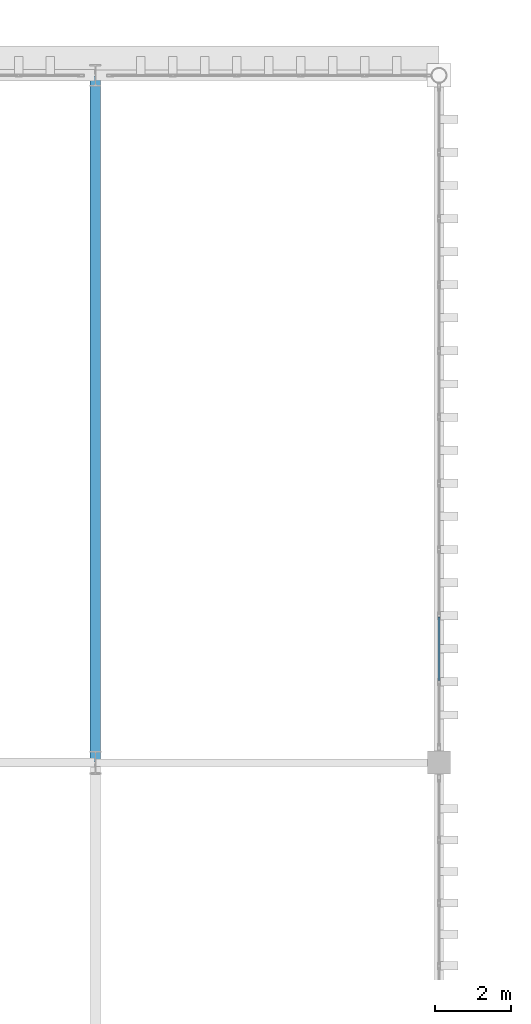
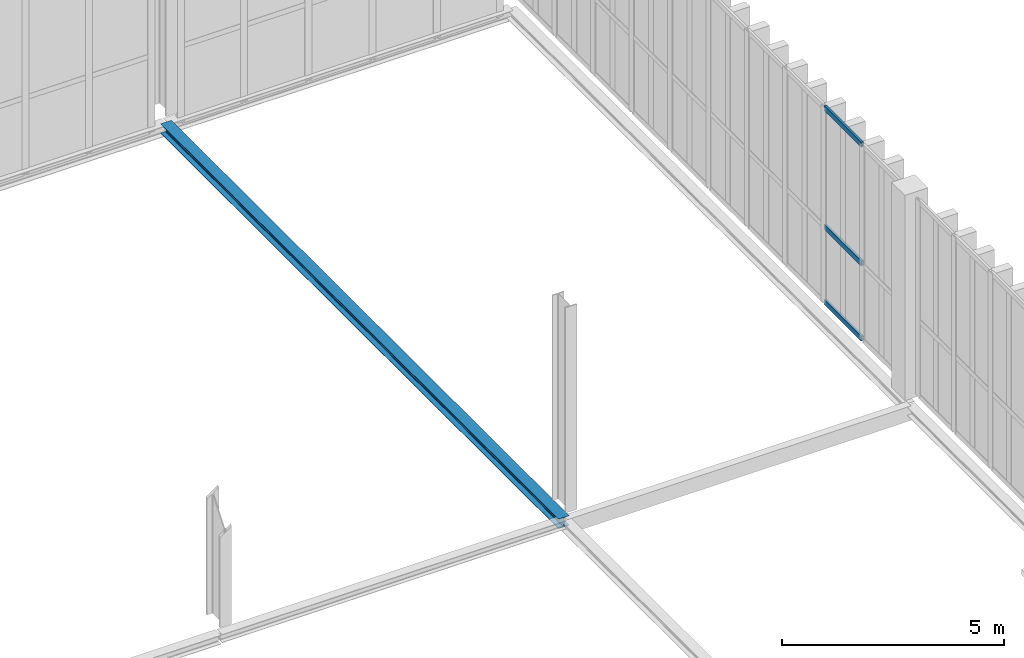
# One storey, part 108 of 237: 3 members, 1 beam, 1 element without a shape of its own.
"""IFC4 building model written with IfcOpenShell, lengths in metres."""

from ifc_helpers import new_model, si_unit, direction, frame, origin, origin_2d, place, context, subcontext, project, spatial, hollow_rectangle, i_section, extrude, material, layer, layer_set, material_profile, profile_set, type_object, element, aggregate, save


model = new_model("IFC4")

# Units and contexts
model_context = context("Model", 3, precision=1e-05, world=origin(), true_north=direction((0.0, 1.0)))
body_context = subcontext(model_context, "Body", "Model", "MODEL_VIEW")
ifc_project = project(units=[si_unit("LENGTHUNIT", "METRE"), si_unit("AREAUNIT", "SQUARE_METRE"), si_unit("VOLUMEUNIT", "CUBIC_METRE"), si_unit("PLANEANGLEUNIT", "RADIAN"), si_unit("MASSUNIT", "GRAM", prefix="KILO")], contexts=[model_context])

# Site, building, storey
site_placement = place(None, origin())
site = spatial("IfcSite", under=ifc_project, at=site_placement, CompositionType="ELEMENT")
building_placement = place(site_placement, origin())
building = spatial("IfcBuilding", under=site, at=building_placement, Name="Barlavento Convention Centre", CompositionType="ELEMENT")
storey_placement = place(building_placement, frame((0.0, 0.0, 12.0)))
storey = spatial("IfcBuildingStorey", under=building, at=storey_placement, Name="L02", CompositionType="ELEMENT", Elevation=12.0)

# Curtain wall, members
ifc_material_1 = material(Name="Powder-coated aluminium and Low-E glass", Category="aluminium")
ifc_layer = layer(ifc_material_1, 0.18505859375)
ifc_layer_set = layer_set([ifc_layer], Name="ARC-CW-EXH-L02")
curtain_wall_type = type_object("IfcCurtainWallType", Name="ARC-CW-EXH-L02", PredefinedType="NOTDEFINED", material=ifc_layer_set)
curtain_wall_placement = place(storey_placement, origin())
curtain_wall = element("IfcCurtainWall", 1, at=curtain_wall_placement, inside=storey, type_object=curtain_wall_type, Name="L02 unitised curtain wall CW05", PredefinedType="NOTDEFINED")
ifc_material_2 = material(Name="Powder-coated aluminium", Category="aluminium")
ifc_material_profile_1 = material_profile(ifc_material_2, hollow_rectangle(XDim=0.06005859375, YDim=0.139892578125, WallThickness=0.00390625, at=origin_2d()), Name="AL-TRAN 60x140x4")
ifc_profile_set_1 = profile_set([ifc_material_profile_1], Name="Powder-coated aluminium")
member_type = type_object("IfcMemberType", Name="ARC-CWT-60X140", PredefinedType="USERDEFINED", material=ifc_profile_set_1)
member_1_placement = place(storey_placement, frame((126.0, 119.146240234375, 0.1298828125), z_axis=(0.0, 1.0, 0.0), x_axis=(-1.0, 0.0, 0.0)))
member_1 = element("IfcMember", 2, at=member_1_placement, type_object=member_type, Name="CW05 transom 2.1", ObjectType="TRANSOM", PredefinedType="USERDEFINED", context=body_context, shape_type="SweptSolid", body=[
    extrude(hollow_rectangle(XDim=0.06005859375, YDim=0.139892578125, WallThickness=0.00390625, at=origin_2d()), origin(), (0.0, 0.0, 1.0), 1.668701171875),
])
member_2_placement = place(storey_placement, frame((126.0, 119.146240234375, 2.199951171875), z_axis=(0.0, 1.0, 0.0), x_axis=(-1.0, 0.0, 0.0)))
member_2 = element("IfcMember", 3, at=member_2_placement, type_object=member_type, Name="CW05 transom 2.2", ObjectType="TRANSOM", PredefinedType="USERDEFINED", context=body_context, shape_type="SweptSolid", body=[
    extrude(hollow_rectangle(XDim=0.06005859375, YDim=0.139892578125, WallThickness=0.00390625, at=origin_2d()), origin(), (0.0, 0.0, 1.0), 1.668701171875),
])
member_3_placement = place(storey_placement, frame((126.0, 119.146240234375, 5.469970703125), z_axis=(0.0, 1.0, 0.0), x_axis=(-1.0, 0.0, 0.0)))
member_3 = element("IfcMember", 4, at=member_3_placement, type_object=member_type, Name="CW05 transom 2.3", ObjectType="TRANSOM", PredefinedType="USERDEFINED", context=body_context, shape_type="SweptSolid", body=[
    extrude(hollow_rectangle(XDim=0.06005859375, YDim=0.139892578125, WallThickness=0.00390625, at=origin_2d()), origin(), (0.0, 0.0, 1.0), 1.668701171875),
])
aggregate(curtain_wall, [member_1, member_2, member_3])

# Beam
ifc_material_3 = material(Name="Steel S355", Category="steel")
ifc_material_profile_2 = material_profile(ifc_material_3, i_section(OverallWidth=0.280029296875, OverallDepth=0.27001953125, WebThickness=0.008056640625, FlangeThickness=0.012939453125, FilletRadius=0.02392578125, at=origin_2d()), Name="HEA 280")
ifc_profile_set_2 = profile_set([ifc_material_profile_2], Name="Steel S355")
beam_type = type_object("IfcBeamType", Name="STR-BM-SPN-HEA280", PredefinedType="SPANDREL", material=ifc_profile_set_2)
beam_placement = place(storey_placement, frame((117.0, 117.02001953125, -0.4951171875), z_axis=(0.0, 1.0, 0.0), x_axis=(-1.0, 0.0, 0.0)))
element("IfcBeam", 5, at=beam_placement, inside=storey, type_object=beam_type, Name="L02 grid girder SP03", PredefinedType="SPANDREL", context=body_context, shape_type="SweptSolid", body=[
    extrude(i_section(OverallWidth=0.280029296875, OverallDepth=0.27001953125, WebThickness=0.008056640625, FlangeThickness=0.012939453125, FilletRadius=0.02392578125, at=origin_2d()), origin(), (0.0, 0.0, 1.0), 17.9599609375),
])

save(model, "model.ifc")
